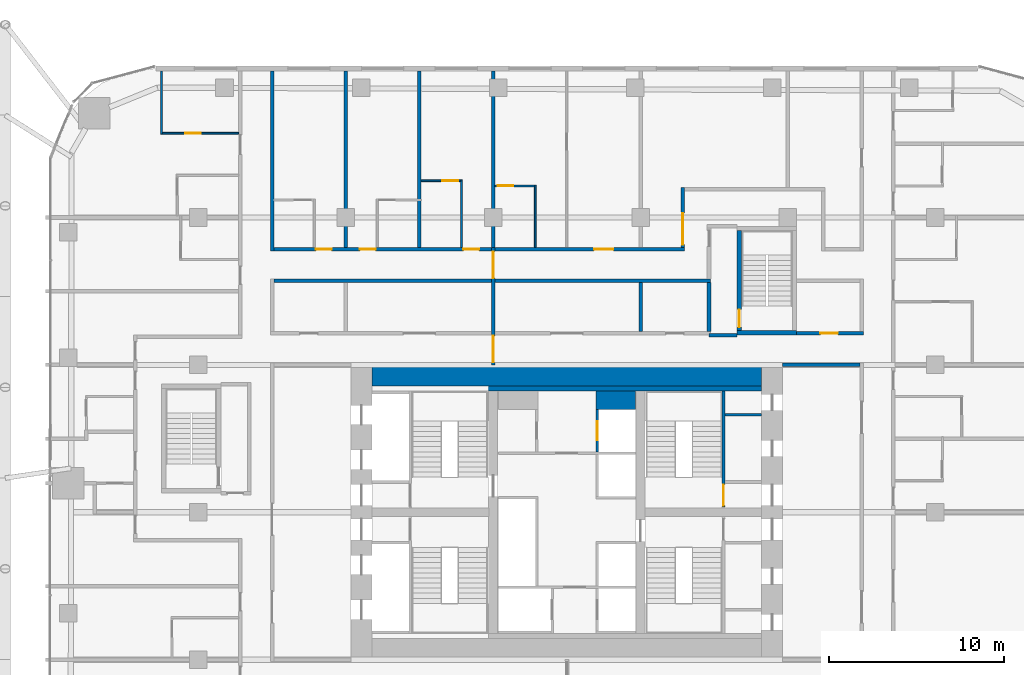
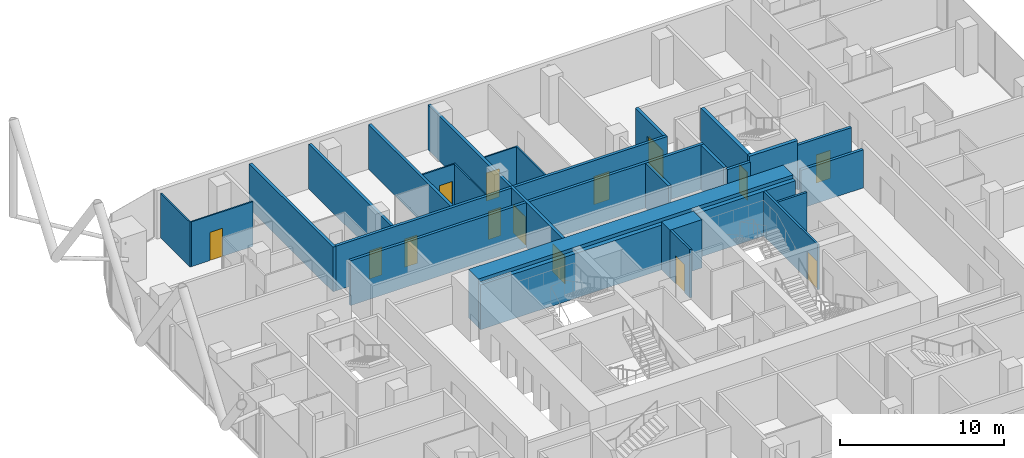
# One storey, part 34 of 38: 27 walls, 14 doors, 14 openings.
"""IFC4 building model written with IfcOpenShell, lengths in metres."""

from ifc_helpers import new_model, si_unit, direction, frame, frame_2d, origin, place, context, subcontext, project, spatial, rectangle, extrude, material, layer, layer_set, type_object, element, fill, save


model = new_model("IFC4")

# Units and contexts
model_context = context("Model", 3, precision=1e-05, world=origin(), true_north=direction((0.0, 1.0)))
body_context = subcontext(model_context, "Body", "Model", "MODEL_VIEW")
ifc_project = project(units=[si_unit("LENGTHUNIT", "METRE"), si_unit("AREAUNIT", "SQUARE_METRE"), si_unit("VOLUMEUNIT", "CUBIC_METRE"), si_unit("PLANEANGLEUNIT", "RADIAN"), si_unit("MASSUNIT", "GRAM", prefix="KILO")], contexts=[model_context])

# Site, building, storey
site_placement = place(None, origin())
site = spatial("IfcSite", under=ifc_project, at=site_placement, CompositionType="ELEMENT")
building_placement = place(site_placement, origin())
building = spatial("IfcBuilding", under=site, at=building_placement, Name="Marenta Gate Hotel Tower", CompositionType="ELEMENT")
storey_placement = place(building_placement, frame((0.0, 0.0, 40.10009765625)))
storey = spatial("IfcBuildingStorey", under=building, at=storey_placement, Name="L07", CompositionType="ELEMENT", Elevation=40.10009765625)

# Wall, openings, doors
ifc_material_1 = material(Name="Concrete blockwork", Category="masonry")
ifc_layer_1 = layer(ifc_material_1, 0.199951171875)
ifc_layer_set_1 = layer_set([ifc_layer_1], Name="Concrete blockwork")
wall_type_1 = type_object("IfcWallType", Name="Compartment wall 200 REI 180", PredefinedType="PARTITIONING", material=ifc_layer_set_1)
wall_1_placement = place(storey_placement, frame((-4.199951171875, 16.800048828125, 0.0), z_axis=(0.0, 0.0, 1.0), x_axis=(0.0, 1.0, 0.0)))
wall_1 = element("IfcWall", 1, at=wall_1_placement, inside=storey, type_object=wall_type_1, Name="L07-PTN-W078", PredefinedType="PARTITIONING", context=body_context, shape_type="SweptSolid", body=[
    extrude(rectangle(XDim=6.699951171875, YDim=0.199951171875, at=frame_2d((3.35009765625, 0.0))), origin(), (0.0, 0.0, 1.0), 3.33984375),
])
opening_1_placement = place(wall_1_placement, frame((0.14990234375, 0.0, 0.0)))
opening_1 = element("IfcOpeningElement", 2, at=opening_1_placement, cuts=wall_1, Name="Opening G02-FD1", PredefinedType="OPENING", context=body_context, shape_type="SweptSolid", body=[
    extrude(rectangle(XDim=1.5, YDim=2.10009765625, at=frame_2d((0.75, 1.050048828125))), frame((0.0, 0.10009765625, 0.0), z_axis=(0.0, -1.0, 0.0), x_axis=(1.0, 0.0, 0.0)), (0.0, 0.0, 1.0), 0.199951171875),
])
opening_2_placement = place(wall_1_placement, frame((4.949951171875, 0.0, 0.0)))
opening_2 = element("IfcOpeningElement", 3, at=opening_2_placement, cuts=wall_1, Name="Opening G02-FD2", PredefinedType="OPENING", context=body_context, shape_type="SweptSolid", body=[
    extrude(rectangle(XDim=1.5, YDim=2.10009765625, at=frame_2d((0.75, 1.050048828125))), frame((0.0, 0.10009765625, 0.0), z_axis=(0.0, -1.0, 0.0), x_axis=(1.0, 0.0, 0.0)), (0.0, 0.0, 1.0), 0.199951171875),
])
ifc_material_2 = material(Name="Hollow steel door set", Category="steel")
door_type_1 = type_object("IfcDoorType", Name="Compartment fire door 1500x2100 EI 60", OperationType="DOUBLE_DOOR_DOUBLE_SWING", PredefinedType="DOOR", material=ifc_material_2)
door_1_placement = place(opening_1_placement, origin())
door_1 = element("IfcDoor", 4, at=door_1_placement, inside=storey, type_object=door_type_1, Name="L07-PD-FD01", OperationType="DOUBLE_DOOR_DOUBLE_SWING", OverallHeight=2.10009765625, OverallWidth=1.5, PredefinedType="DOOR", context=body_context, shape_type="SweptSolid", body=[
    extrude(rectangle(XDim=1.5, YDim=2.10009765625, at=frame_2d((0.75, 1.050048828125))), frame((0.0, 0.02490234375, 0.0), z_axis=(0.0, -1.0, 0.0), x_axis=(1.0, 0.0, 0.0)), (0.0, 0.0, 1.0), 0.050048828125),
])
fill(opening_1, door_1)
door_2_placement = place(opening_2_placement, origin())
door_2 = element("IfcDoor", 5, at=door_2_placement, inside=storey, type_object=door_type_1, Name="L07-PD-FD02", OperationType="DOUBLE_DOOR_DOUBLE_SWING", OverallHeight=2.10009765625, OverallWidth=1.5, PredefinedType="DOOR", context=body_context, shape_type="SweptSolid", body=[
    extrude(rectangle(XDim=1.5, YDim=2.10009765625, at=frame_2d((0.75, 1.050048828125))), frame((0.0, 0.02490234375, 0.0), z_axis=(0.0, -1.0, 0.0), x_axis=(1.0, 0.0, 0.0)), (0.0, 0.0, 1.0), 0.050048828125),
])
fill(opening_2, door_2)

# Walls
wall_2_placement = place(storey_placement, frame((-4.199951171875, 23.5, 0.0), z_axis=(0.0, 0.0, 1.0), x_axis=(0.0, 1.0, 0.0)))
element("IfcWall", 6, at=wall_2_placement, inside=storey, type_object=wall_type_1, Name="L07-PTN-W079", PredefinedType="PARTITIONING", context=body_context, shape_type="SweptSolid", body=[
    extrude(rectangle(XDim=10.0400390625, YDim=0.199951171875, at=frame_2d((5.02001953125, 0.0))), origin(), (0.0, 0.0, 1.0), 3.33984375),
])
ifc_material_3 = material(Name="Concrete blockwork", Category="masonry")
ifc_layer_2 = layer(ifc_material_3, 0.199951171875)
ifc_layer_set_2 = layer_set([ifc_layer_2], Name="Concrete blockwork")
wall_type_2 = type_object("IfcWallType", Name="Core boundary wall 200 REI 180", PredefinedType="PARTITIONING", material=ifc_layer_set_2)
wall_3_placement = place(storey_placement, frame((12.300048828125, 16.800048828125, 0.0), z_axis=(0.0, 0.0, 1.0), x_axis=(1.0, 0.0, 0.0)))
element("IfcWall", 7, at=wall_3_placement, inside=storey, type_object=wall_type_2, Name="L07-CP-EW-EN", PredefinedType="PARTITIONING", context=body_context, shape_type="SweptSolid", body=[
    extrude(rectangle(XDim=4.39990234375, YDim=0.199951171875, at=frame_2d((2.199951171875, 0.0))), origin(), (0.0, 0.0, 1.0), 2.83984375),
])
ifc_material_4 = material(Name="Concrete C40", Category="concrete")
ifc_layer_3 = layer(ifc_material_4, 0.300048828125)
ifc_layer_set_3 = layer_set([ifc_layer_3], Name="Concrete C40")
wall_type_3 = type_object("IfcWallType", Name="Core lining wall 300 REI 180", PredefinedType="PARTITIONING", material=ifc_layer_set_3)
wall_4_placement = place(storey_placement, frame((-11.10009765625, 15.449951171875, 0.0), z_axis=(0.0, 0.0, 1.0), x_axis=(1.0, 0.0, 0.0)))
element("IfcWall", 8, at=wall_4_placement, inside=storey, type_object=wall_type_3, Name="L07-CP-LN-N", PredefinedType="PARTITIONING", context=body_context, shape_type="SweptSolid", body=[
    extrude(rectangle(XDim=22.2001953125, YDim=0.300048828125, at=frame_2d((11.10009765625, 0.0))), origin(), (0.0, 0.0, 1.0), 3.33984375),
])
ifc_material_5 = material(Name="Concrete blockwork", Category="masonry")
ifc_layer_4 = layer(ifc_material_5, 0.14990234375)
ifc_layer_set_4 = layer_set([ifc_layer_4], Name="Concrete blockwork")
wall_type_4 = type_object("IfcWallType", Name="Core room partition 150 REI 180", PredefinedType="PARTITIONING", material=ifc_layer_set_4)
wall_5_placement = place(storey_placement, frame((9.0, 13.949951171875, 0.0), z_axis=(0.0, 0.0, 1.0), x_axis=(1.0, 0.0, 0.0)))
element("IfcWall", 9, at=wall_5_placement, inside=storey, type_object=wall_type_4, Name="L07-CP-RW-EN-1", PredefinedType="PARTITIONING", context=body_context, shape_type="SweptSolid", body=[
    extrude(rectangle(XDim=2.10009765625, YDim=0.14990234375, at=frame_2d((1.050048828125, 0.0))), origin(), (0.0, 0.0, 1.0), 3.33984375),
])
ifc_material_6 = material(Name="Concrete C40", Category="concrete")
ifc_layer_5 = layer(ifc_material_6, 1.050048828125)
ifc_layer_set_5 = layer_set([ifc_layer_5], Name="Concrete C40")
wall_type_5 = type_object("IfcWallType", Name="Core shaft wall 1050 REI 180", PredefinedType="SHEAR", material=ifc_layer_set_5)
wall_6_placement = place(storey_placement, frame((1.64990234375, 14.77490234375, 0.0), z_axis=(0.0, 0.0, 1.0), x_axis=(1.0, 0.0, 0.0)))
element("IfcWall", 10, at=wall_6_placement, inside=storey, type_object=wall_type_5, Name="L07-SHF-CE-N-top", PredefinedType="SHEAR", context=body_context, shape_type="SweptSolid", body=[
    extrude(rectangle(XDim=2.25, YDim=1.050048828125, at=frame_2d((1.125, 0.0))), origin(), (0.0, 0.0, 1.0), 3.599853515625),
])

# Wall, opening, door
ifc_material_7 = material(Name="Concrete C40", Category="concrete")
ifc_layer_6 = layer(ifc_material_7, 0.14990234375)
ifc_layer_set_6 = layer_set([ifc_layer_6], Name="Concrete C40")
wall_type_6 = type_object("IfcWallType", Name="Core shaft wall 150 REI 180", PredefinedType="SHEAR", material=ifc_layer_set_6)
wall_7_placement = place(storey_placement, frame((1.72509765625, 11.85009765625, 0.0), z_axis=(0.0, 0.0, 1.0), x_axis=(0.0, 1.0, 0.0)))
wall_7 = element("IfcWall", 11, at=wall_7_placement, inside=storey, type_object=wall_type_6, Name="L07-SHF-CE-N-front2", PredefinedType="SHEAR", context=body_context, shape_type="SweptSolid", body=[
    extrude(rectangle(XDim=2.39990234375, YDim=0.14990234375, at=frame_2d((1.199951171875, 0.0))), origin(), (0.0, 0.0, 1.0), 3.599853515625),
])
opening_3_placement = place(wall_7_placement, frame((0.64990234375, 0.0, 0.0)))
opening_3 = element("IfcOpeningElement", 12, at=opening_3_placement, cuts=wall_7, Name="Opening LD-FF2", PredefinedType="OPENING", context=body_context, shape_type="SweptSolid", body=[
    extrude(rectangle(XDim=1.10009765625, YDim=2.10009765625, at=frame_2d((0.550048828125, 1.050048828125))), frame((0.0, 0.074951171875, 0.0), z_axis=(0.0, -1.0, 0.0), x_axis=(1.0, 0.0, 0.0)), (0.0, 0.0, 1.0), 0.14990234375),
])
ifc_material_8 = material(Name="Steel", Category="steel")
door_type_2 = type_object("IfcDoorType", Name="Core lift landing door 1100x2100 E 60", OperationType="SLIDING_TO_LEFT", PredefinedType="DOOR", material=ifc_material_8)
door_3_placement = place(opening_3_placement, origin())
door_3 = element("IfcDoor", 13, at=door_3_placement, inside=storey, type_object=door_type_2, Name="LD-FF2", OperationType="SLIDING_TO_LEFT", OverallHeight=2.10009765625, OverallWidth=1.10009765625, PredefinedType="DOOR", context=body_context, shape_type="SweptSolid", body=[
    extrude(rectangle(XDim=1.10009765625, YDim=2.10009765625, at=frame_2d((0.550048828125, 1.050048828125))), frame((0.0, 0.02490234375, 0.0), z_axis=(0.0, -1.0, 0.0), x_axis=(1.0, 0.0, 0.0)), (0.0, 0.0, 1.0), 0.050048828125),
])
fill(opening_3, door_3)

ifc_material_9 = material(Name="Concrete C40", Category="concrete")
ifc_layer_7 = layer(ifc_material_9, 0.14990234375)
ifc_layer_set_7 = layer_set([ifc_layer_7], Name="Concrete C40")
wall_type_7 = type_object("IfcWallType", Name="Core stair enclosure wall 150 REI 180", PredefinedType="SHEAR", material=ifc_layer_set_7)
wall_8_placement = place(storey_placement, frame((8.925048828125, 8.699951171875, 0.0), z_axis=(0.0, 0.0, 1.0), x_axis=(0.0, 1.0, 0.0)))
wall_8 = element("IfcWall", 14, at=wall_8_placement, inside=storey, type_object=wall_type_7, Name="L07-SHF-SW-EN-3", PredefinedType="SHEAR", context=body_context, shape_type="SweptSolid", body=[
    extrude(rectangle(XDim=6.60009765625, YDim=0.14990234375, at=frame_2d((3.300048828125, 0.0))), origin(), (0.0, 0.0, 1.0), 3.33984375),
])
opening_4_placement = place(wall_8_placement, frame((0.074951171875, 0.0, 0.0)))
opening_4 = element("IfcOpeningElement", 15, at=opening_4_placement, cuts=wall_8, Name="Opening SD-EN", PredefinedType="OPENING", context=body_context, shape_type="SweptSolid", body=[
    extrude(rectangle(XDim=1.199951171875, YDim=2.10009765625, at=frame_2d((0.60009765625, 1.050048828125))), frame((0.0, 0.074951171875, 0.0), z_axis=(0.0, -1.0, 0.0), x_axis=(1.0, 0.0, 0.0)), (0.0, 0.0, 1.0), 0.14990234375),
])
ifc_material_10 = material(Name="Steel", Category="steel")
door_type_3 = type_object("IfcDoorType", Name="Core stair door 1200x2100 FD60", OperationType="SINGLE_SWING_LEFT", PredefinedType="DOOR", material=ifc_material_10)
door_4_placement = place(opening_4_placement, origin())
door_4 = element("IfcDoor", 16, at=door_4_placement, inside=storey, type_object=door_type_3, Name="SD-EN", OperationType="SINGLE_SWING_LEFT", OverallHeight=2.10009765625, OverallWidth=1.199951171875, PredefinedType="DOOR", context=body_context, shape_type="SweptSolid", body=[
    extrude(rectangle(XDim=1.199951171875, YDim=2.10009765625, at=frame_2d((0.60009765625, 1.050048828125))), frame((0.0, 0.02490234375, 0.0), z_axis=(0.0, -1.0, 0.0), x_axis=(1.0, 0.0, 0.0)), (0.0, 0.0, 1.0), 0.050048828125),
])
fill(opening_4, door_4)

# Walls
ifc_material_11 = material(Name="Concrete C80", Category="concrete")
ifc_layer_8 = layer(ifc_material_11, 1.199951171875)
ifc_layer_set_8 = layer_set([ifc_layer_8], Name="Concrete C80")
wall_type_8 = type_object("IfcWallType", Name="Core wall 1200 C80", PredefinedType="SHEAR", material=ifc_layer_set_8)
wall_9_placement = place(storey_placement, frame((-11.10009765625, 16.199951171875, 0.0), z_axis=(0.0, 0.0, 1.0), x_axis=(1.0, 0.0, 0.0)))
element("IfcWall", 17, at=wall_9_placement, inside=storey, type_object=wall_type_8, Name="L07-CORE-N", PredefinedType="SHEAR", context=body_context, shape_type="SweptSolid", body=[
    extrude(rectangle(XDim=22.2001953125, YDim=1.199951171875, at=frame_2d((11.10009765625, 0.0))), origin(), (0.0, 0.0, 1.0), 3.599853515625),
])
ifc_material_12 = material(Name="Concrete C40", Category="concrete")
ifc_layer_9 = layer(ifc_material_12, 0.25)
ifc_layer_set_9 = layer_set([ifc_layer_9], Name="Concrete C40")
wall_type_9 = type_object("IfcWallType", Name="Remote stair enclosure wall 250 REI 180", PredefinedType="SHEAR", material=ifc_layer_set_9)
wall_10_placement = place(storey_placement, frame((9.699951171875, 18.625, 0.099853515625), z_axis=(0.0, 0.0, 1.0), x_axis=(1.0, 0.0, 0.0)))
element("IfcWall", 18, at=wall_10_placement, inside=storey, type_object=wall_type_9, Name="L07-RS-Z1-4-W1", PredefinedType="SHEAR", context=body_context, shape_type="SweptSolid", body=[
    extrude(rectangle(XDim=3.400146484375, YDim=0.25, at=frame_2d((1.7001953125, 0.0))), origin(), (0.0, 0.0, 1.0), 3.60009765625),
])

# Wall, opening, door
wall_11_placement = place(storey_placement, frame((9.824951171875, 18.75, 0.099853515625), z_axis=(0.0, 0.0, 1.0), x_axis=(0.0, 1.0, 0.0)))
wall_11 = element("IfcWall", 19, at=wall_11_placement, inside=storey, type_object=wall_type_9, Name="L07-RS-Z1-4-W3", PredefinedType="SHEAR", context=body_context, shape_type="SweptSolid", body=[
    extrude(rectangle(XDim=5.699951171875, YDim=0.25, at=frame_2d((2.85009765625, 0.0))), origin(), (0.0, 0.0, 1.0), 3.60009765625),
])
opening_5_placement = place(wall_11_placement, frame((0.199951171875, 0.0, 0.0)))
opening_5 = element("IfcOpeningElement", 20, at=opening_5_placement, cuts=wall_11, Name="Opening VD", PredefinedType="OPENING", context=body_context, shape_type="SweptSolid", body=[
    extrude(rectangle(XDim=1.0, YDim=2.10009765625, at=frame_2d((0.5, 1.050048828125))), frame((0.0, 0.125, 0.0), z_axis=(0.0, -1.0, 0.0), x_axis=(1.0, 0.0, 0.0)), (0.0, 0.0, 1.0), 0.25),
])
ifc_material_13 = material(Name="Steel", Category="steel")
door_type_4 = type_object("IfcDoorType", Name="Stair vestibule door 1000x2100 FD60", OperationType="SINGLE_SWING_LEFT", PredefinedType="DOOR", material=ifc_material_13)
door_5_placement = place(opening_5_placement, origin())
door_5 = element("IfcDoor", 21, at=door_5_placement, inside=storey, type_object=door_type_4, Name="VD", OperationType="SINGLE_SWING_LEFT", OverallHeight=2.10009765625, OverallWidth=1.0, PredefinedType="DOOR", context=body_context, shape_type="SweptSolid", body=[
    extrude(rectangle(XDim=1.0, YDim=2.10009765625, at=frame_2d((0.5, 1.050048828125))), frame((0.0, 0.02490234375, 0.0), z_axis=(0.0, -1.0, 0.0), x_axis=(1.0, 0.0, 0.0)), (0.0, 0.0, 1.0), 0.050048828125),
])
fill(opening_5, door_5)

# Wall
ifc_material_14 = material(Name="Concrete blockwork", Category="masonry")
ifc_layer_10 = layer(ifc_material_14, 0.199951171875)
ifc_layer_set_10 = layer_set([ifc_layer_10], Name="Concrete blockwork")
wall_type_10 = type_object("IfcWallType", Name="Room corridor wall 200 EI 120", PredefinedType="PARTITIONING", material=ifc_layer_set_10)
wall_12_placement = place(storey_placement, frame((-16.699951171875, 21.60009765625, 0.0), z_axis=(0.0, 0.0, 1.0), x_axis=(1.0, 0.0, 0.0)))
element("IfcWall", 22, at=wall_12_placement, inside=storey, type_object=wall_type_10, Name="L07-PTN-W126", PredefinedType="PARTITIONING", context=body_context, shape_type="SweptSolid", body=[
    extrude(rectangle(XDim=24.89990234375, YDim=0.199951171875, at=frame_2d((12.449951171875, 0.0))), origin(), (0.0, 0.0, 1.0), 3.33984375),
])

# Wall, opening, door
ifc_material_15 = material(Name="Gypsum board on steel stud", Category="steel")
ifc_layer_11 = layer(ifc_material_15, 0.199951171875)
ifc_layer_set_11 = layer_set([ifc_layer_11], Name="Gypsum board on steel stud")
wall_type_11 = type_object("IfcWallType", Name="Room corridor wall 200 EI 60", PredefinedType="PARTITIONING", material=ifc_layer_set_11)
wall_13_placement = place(storey_placement, frame((6.60009765625, 23.5, 0.0), z_axis=(0.0, 0.0, 1.0), x_axis=(0.0, 1.0, 0.0)))
wall_13 = element("IfcWall", 23, at=wall_13_placement, inside=storey, type_object=wall_type_11, Name="L07-PTN-W049", PredefinedType="PARTITIONING", context=body_context, shape_type="SweptSolid", body=[
    extrude(rectangle(XDim=3.39990234375, YDim=0.199951171875, at=frame_2d((1.699951171875, 0.0))), origin(), (0.0, 0.0, 1.0), 3.33984375),
])
opening_6_placement = place(wall_13_placement, frame((0.14990234375, 0.0, 0.0)))
opening_6 = element("IfcOpeningElement", 24, at=opening_6_placement, cuts=wall_13, Name="Opening G02-39", PredefinedType="OPENING", context=body_context, shape_type="SweptSolid", body=[
    extrude(rectangle(XDim=1.800048828125, YDim=2.10009765625, at=frame_2d((0.89990234375, 1.050048828125))), frame((0.0, 0.10009765625, 0.0), z_axis=(0.0, -1.0, 0.0), x_axis=(1.0, 0.0, 0.0)), (0.0, 0.0, 1.0), 0.199951171875),
])
ifc_material_16 = material(Name="Timber door leaf", Category="wood")
door_type_5 = type_object("IfcDoorType", Name="Room amenity door 1800x2100 EI 30", OperationType="DOUBLE_DOOR_SINGLE_SWING", PredefinedType="DOOR", material=ifc_material_16)
door_6_placement = place(opening_6_placement, origin())
door_6 = element("IfcDoor", 25, at=door_6_placement, inside=storey, type_object=door_type_5, Name="L07-PD-D039", OperationType="DOUBLE_DOOR_SINGLE_SWING", OverallHeight=2.10009765625, OverallWidth=1.800048828125, PredefinedType="DOOR", context=body_context, shape_type="SweptSolid", body=[
    extrude(rectangle(XDim=1.800048828125, YDim=2.10009765625, at=frame_2d((0.89990234375, 1.050048828125))), frame((0.0, 0.02490234375, 0.0), z_axis=(0.0, -1.0, 0.0), x_axis=(1.0, 0.0, 0.0)), (0.0, 0.0, 1.0), 0.050048828125),
])
fill(opening_6, door_6)

# Wall
wall_14_placement = place(storey_placement, frame((-16.800048828125, 23.300048828125, 0.0), z_axis=(0.0, 0.0, 1.0), x_axis=(0.0, 1.0, 0.0)))
element("IfcWall", 26, at=wall_14_placement, inside=storey, type_object=wall_type_11, Name="L07-PTN-W113", PredefinedType="PARTITIONING", context=body_context, shape_type="SweptSolid", body=[
    extrude(rectangle(XDim=10.239990234375, YDim=0.199951171875, at=frame_2d((5.1201171875, 0.0))), origin(), (0.0, 0.0, 1.0), 3.33984375),
])

# Wall, opening, door
wall_15_placement = place(storey_placement, frame((13.10009765625, 18.60009765625, 0.0), z_axis=(0.0, 0.0, 1.0), x_axis=(1.0, 0.0, 0.0)))
wall_15 = element("IfcWall", 27, at=wall_15_placement, inside=storey, type_object=wall_type_11, Name="L07-PTN-W122", PredefinedType="PARTITIONING", context=body_context, shape_type="SweptSolid", body=[
    extrude(rectangle(XDim=3.7998046875, YDim=0.199951171875, at=frame_2d((1.89990234375, 0.0))), origin(), (0.0, 0.0, 1.0), 3.33984375),
])
opening_7_placement = place(wall_15_placement, frame((1.35009765625, 0.0, 0.0)))
opening_7 = element("IfcOpeningElement", 28, at=opening_7_placement, cuts=wall_15, Name="Opening G02-05", PredefinedType="OPENING", context=body_context, shape_type="SweptSolid", body=[
    extrude(rectangle(XDim=1.0, YDim=2.10009765625, at=frame_2d((0.5, 1.050048828125))), frame((0.0, 0.10009765625, 0.0), z_axis=(0.0, -1.0, 0.0), x_axis=(1.0, 0.0, 0.0)), (0.0, 0.0, 1.0), 0.199951171875),
])
ifc_material_17 = material(Name="Timber door leaf", Category="wood")
door_type_6 = type_object("IfcDoorType", Name="Room amenity door 1000x2100 EI 30", OperationType="NOTDEFINED", PredefinedType="DOOR", material=ifc_material_17)
door_7_placement = place(opening_7_placement, origin())
door_7 = element("IfcDoor", 29, at=door_7_placement, inside=storey, type_object=door_type_6, Name="L07-PD-D005", OperationType="SINGLE_SWING_LEFT", OverallHeight=2.10009765625, OverallWidth=1.0, PredefinedType="DOOR", context=body_context, shape_type="SweptSolid", body=[
    extrude(rectangle(XDim=1.0, YDim=2.10009765625, at=frame_2d((0.5, 1.050048828125))), frame((0.0, 0.02490234375, 0.0), z_axis=(0.0, -1.0, 0.0), x_axis=(1.0, 0.0, 0.0)), (0.0, 0.0, 1.0), 0.050048828125),
])
fill(opening_7, door_7)

# Wall, openings, doors
wall_16_placement = place(storey_placement, frame((-16.699951171875, 23.39990234375, 0.0), z_axis=(0.0, 0.0, 1.0), x_axis=(1.0, 0.0, 0.0)))
wall_16 = element("IfcWall", 30, at=wall_16_placement, inside=storey, type_object=wall_type_11, Name="L07-PTN-W137", PredefinedType="PARTITIONING", context=body_context, shape_type="SweptSolid", body=[
    extrude(rectangle(XDim=23.39990234375, YDim=0.199951171875, at=frame_2d((11.699951171875, 0.0))), origin(), (0.0, 0.0, 1.0), 3.33984375),
])
opening_8_placement = place(wall_16_placement, frame((2.39990234375, 0.0, 0.0)))
opening_8 = element("IfcOpeningElement", 31, at=opening_8_placement, cuts=wall_16, Name="Opening G02-30", PredefinedType="OPENING", context=body_context, shape_type="SweptSolid", body=[
    extrude(rectangle(XDim=0.89990234375, YDim=2.10009765625, at=frame_2d((0.449951171875, 1.050048828125))), frame((0.0, 0.10009765625, 0.0), z_axis=(0.0, -1.0, 0.0), x_axis=(1.0, 0.0, 0.0)), (0.0, 0.0, 1.0), 0.199951171875),
])
opening_9_placement = place(wall_16_placement, frame((4.89990234375, 0.0, 0.0)))
opening_9 = element("IfcOpeningElement", 32, at=opening_9_placement, cuts=wall_16, Name="Opening G02-32", PredefinedType="OPENING", context=body_context, shape_type="SweptSolid", body=[
    extrude(rectangle(XDim=0.89990234375, YDim=2.10009765625, at=frame_2d((0.449951171875, 1.050048828125))), frame((0.0, 0.10009765625, 0.0), z_axis=(0.0, -1.0, 0.0), x_axis=(1.0, 0.0, 0.0)), (0.0, 0.0, 1.0), 0.199951171875),
])
opening_10_placement = place(wall_16_placement, frame((10.800048828125, 0.0, 0.0)))
opening_10 = element("IfcOpeningElement", 33, at=opening_10_placement, cuts=wall_16, Name="Opening G02-34", PredefinedType="OPENING", context=body_context, shape_type="SweptSolid", body=[
    extrude(rectangle(XDim=0.89990234375, YDim=2.10009765625, at=frame_2d((0.449951171875, 1.050048828125))), frame((0.0, 0.10009765625, 0.0), z_axis=(0.0, -1.0, 0.0), x_axis=(1.0, 0.0, 0.0)), (0.0, 0.0, 1.0), 0.199951171875),
])
opening_11_placement = place(wall_16_placement, frame((18.25, 0.0, 0.0)))
opening_11 = element("IfcOpeningElement", 34, at=opening_11_placement, cuts=wall_16, Name="Opening G02-36", PredefinedType="OPENING", context=body_context, shape_type="SweptSolid", body=[
    extrude(rectangle(XDim=1.10009765625, YDim=2.10009765625, at=frame_2d((0.550048828125, 1.050048828125))), frame((0.0, 0.10009765625, 0.0), z_axis=(0.0, -1.0, 0.0), x_axis=(1.0, 0.0, 0.0)), (0.0, 0.0, 1.0), 0.199951171875),
])
ifc_material_18 = material(Name="Timber door leaf", Category="wood")
door_type_7 = type_object("IfcDoorType", Name="Guest room door 1100x2100 EI 30", OperationType="NOTDEFINED", PredefinedType="DOOR", material=ifc_material_18)
door_8_placement = place(opening_11_placement, origin())
door_8 = element("IfcDoor", 35, at=door_8_placement, inside=storey, type_object=door_type_7, Name="L07-PD-D036", OperationType="SINGLE_SWING_LEFT", OverallHeight=2.10009765625, OverallWidth=1.10009765625, PredefinedType="DOOR", context=body_context, shape_type="SweptSolid", body=[
    extrude(rectangle(XDim=1.10009765625, YDim=2.10009765625, at=frame_2d((0.550048828125, 1.050048828125))), frame((0.0, 0.02490234375, 0.0), z_axis=(0.0, -1.0, 0.0), x_axis=(1.0, 0.0, 0.0)), (0.0, 0.0, 1.0), 0.050048828125),
])
fill(opening_11, door_8)
ifc_material_19 = material(Name="Timber door leaf", Category="wood")
door_type_8 = type_object("IfcDoorType", Name="Guest room door 900x2100 EI 30", OperationType="NOTDEFINED", PredefinedType="DOOR", material=ifc_material_19)
door_9_placement = place(opening_8_placement, origin())
door_9 = element("IfcDoor", 36, at=door_9_placement, inside=storey, type_object=door_type_8, Name="L07-PD-D030", OperationType="SINGLE_SWING_LEFT", OverallHeight=2.10009765625, OverallWidth=0.89990234375, PredefinedType="DOOR", context=body_context, shape_type="SweptSolid", body=[
    extrude(rectangle(XDim=0.89990234375, YDim=2.10009765625, at=frame_2d((0.449951171875, 1.050048828125))), frame((0.0, 0.02490234375, 0.0), z_axis=(0.0, -1.0, 0.0), x_axis=(1.0, 0.0, 0.0)), (0.0, 0.0, 1.0), 0.050048828125),
])
fill(opening_8, door_9)
door_10_placement = place(opening_9_placement, origin())
door_10 = element("IfcDoor", 37, at=door_10_placement, inside=storey, type_object=door_type_8, Name="L07-PD-D032", OperationType="SINGLE_SWING_RIGHT", OverallHeight=2.10009765625, OverallWidth=0.89990234375, PredefinedType="DOOR", context=body_context, shape_type="SweptSolid", body=[
    extrude(rectangle(XDim=0.89990234375, YDim=2.10009765625, at=frame_2d((0.449951171875, 1.050048828125))), frame((0.0, 0.02490234375, 0.0), z_axis=(0.0, -1.0, 0.0), x_axis=(1.0, 0.0, 0.0)), (0.0, 0.0, 1.0), 0.050048828125),
])
fill(opening_9, door_10)
door_11_placement = place(opening_10_placement, origin())
door_11 = element("IfcDoor", 38, at=door_11_placement, inside=storey, type_object=door_type_8, Name="L07-PD-D034", OperationType="SINGLE_SWING_LEFT", OverallHeight=2.10009765625, OverallWidth=0.89990234375, PredefinedType="DOOR", context=body_context, shape_type="SweptSolid", body=[
    extrude(rectangle(XDim=0.89990234375, YDim=2.10009765625, at=frame_2d((0.449951171875, 1.050048828125))), frame((0.0, 0.02490234375, 0.0), z_axis=(0.0, -1.0, 0.0), x_axis=(1.0, 0.0, 0.0)), (0.0, 0.0, 1.0), 0.050048828125),
])
fill(opening_10, door_11)

# Walls
ifc_material_20 = material(Name="Concrete blockwork", Category="masonry")
ifc_layer_12 = layer(ifc_material_20, 0.199951171875)
ifc_layer_set_12 = layer_set([ifc_layer_12], Name="Concrete blockwork")
wall_type_12 = type_object("IfcWallType", Name="Room corridor wall 200 REI 180", PredefinedType="PARTITIONING", material=ifc_layer_set_12)
wall_17_placement = place(storey_placement, frame((8.10009765625, 18.5, 0.0), z_axis=(0.0, 0.0, 1.0), x_axis=(1.0, 0.0, 0.0)))
element("IfcWall", 39, at=wall_17_placement, inside=storey, type_object=wall_type_12, Name="L07-PTN-W118", PredefinedType="PARTITIONING", context=body_context, shape_type="SweptSolid", body=[
    extrude(rectangle(XDim=1.599853515625, YDim=0.199951171875, at=frame_2d((0.7998046875, 0.0))), origin(), (0.0, 0.0, 1.0), 3.33984375),
])
ifc_material_21 = material(Name="Gypsum board on steel stud", Category="steel")
ifc_layer_13 = layer(ifc_material_21, 0.10009765625)
ifc_layer_set_13 = layer_set([ifc_layer_13], Name="Gypsum board on steel stud")
wall_type_13 = type_object("IfcWallType", Name="Room partition 100", PredefinedType="PARTITIONING", material=ifc_layer_set_13)
wall_18_placement = place(storey_placement, frame((-1.800048828125, 23.5, 0.0), z_axis=(0.0, 0.0, 1.0), x_axis=(0.0, 1.0, 0.0)))
element("IfcWall", 40, at=wall_18_placement, inside=storey, type_object=wall_type_13, Name="L07-PTN-W074", PredefinedType="PARTITIONING", context=body_context, shape_type="SweptSolid", body=[
    extrude(rectangle(XDim=3.550048828125, YDim=0.10009765625, at=frame_2d((1.77490234375, 0.0))), origin(), (0.0, 0.0, 1.0), 3.33984375),
])
wall_19_placement = place(storey_placement, frame((-6.0, 23.5, 0.0), z_axis=(0.0, 0.0, 1.0), x_axis=(0.0, 1.0, 0.0)))
element("IfcWall", 41, at=wall_19_placement, inside=storey, type_object=wall_type_13, Name="L07-PTN-W083", PredefinedType="PARTITIONING", context=body_context, shape_type="SweptSolid", body=[
    extrude(rectangle(XDim=3.85009765625, YDim=0.10009765625, at=frame_2d((1.925048828125, 0.0))), origin(), (0.0, 0.0, 1.0), 3.33984375),
])
wall_20_placement = place(storey_placement, frame((-23.10009765625, 29.949951171875, 0.0), z_axis=(0.0, 0.0, 1.0), x_axis=(0.0, 1.0, 0.0)))
element("IfcWall", 42, at=wall_20_placement, inside=storey, type_object=wall_type_13, Name="L07-PTN-W136", PredefinedType="PARTITIONING", context=body_context, shape_type="SweptSolid", body=[
    extrude(rectangle(XDim=3.590087890625, YDim=0.10009765625, at=frame_2d((1.794921875, 0.0))), origin(), (0.0, 0.0, 1.0), 3.33984375),
])

# Wall, opening, door
wall_21_placement = place(storey_placement, frame((-4.10009765625, 27.0, 0.0), z_axis=(0.0, 0.0, 1.0), x_axis=(1.0, 0.0, 0.0)))
wall_21 = element("IfcWall", 43, at=wall_21_placement, inside=storey, type_object=wall_type_13, Name="L07-PTN-W147", PredefinedType="PARTITIONING", context=body_context, shape_type="SweptSolid", body=[
    extrude(rectangle(XDim=2.25, YDim=0.10009765625, at=frame_2d((1.125, 0.0))), origin(), (0.0, 0.0, 1.0), 3.33984375),
])
opening_12_placement = place(wall_21_placement, frame((0.14990234375, 0.0, 0.0)))
opening_12 = element("IfcOpeningElement", 44, at=opening_12_placement, cuts=wall_21, Name="Opening G02-38", PredefinedType="OPENING", context=body_context, shape_type="SweptSolid", body=[
    extrude(rectangle(XDim=0.89990234375, YDim=2.10009765625, at=frame_2d((0.449951171875, 1.050048828125))), frame((0.0, 0.050048828125, 0.0), z_axis=(0.0, -1.0, 0.0), x_axis=(1.0, 0.0, 0.0)), (0.0, 0.0, 1.0), 0.10009765625),
])
ifc_material_22 = material(Name="Timber door leaf", Category="wood")
door_type_9 = type_object("IfcDoorType", Name="Guest bathroom door 900x2100", OperationType="NOTDEFINED", PredefinedType="DOOR", material=ifc_material_22)
door_12_placement = place(opening_12_placement, origin())
door_12 = element("IfcDoor", 45, at=door_12_placement, inside=storey, type_object=door_type_9, Name="L07-PD-D038", OperationType="SINGLE_SWING_RIGHT", OverallHeight=2.10009765625, OverallWidth=0.89990234375, PredefinedType="DOOR", context=body_context, shape_type="SweptSolid", body=[
    extrude(rectangle(XDim=0.89990234375, YDim=2.10009765625, at=frame_2d((0.449951171875, 1.050048828125))), frame((0.0, 0.02490234375, 0.0), z_axis=(0.0, -1.0, 0.0), x_axis=(1.0, 0.0, 0.0)), (0.0, 0.0, 1.0), 0.050048828125),
])
fill(opening_12, door_12)

wall_22_placement = place(storey_placement, frame((-8.300048828125, 27.300048828125, 0.0), z_axis=(0.0, 0.0, 1.0), x_axis=(1.0, 0.0, 0.0)))
wall_22 = element("IfcWall", 46, at=wall_22_placement, inside=storey, type_object=wall_type_13, Name="L07-PTN-W149", PredefinedType="PARTITIONING", context=body_context, shape_type="SweptSolid", body=[
    extrude(rectangle(XDim=2.25, YDim=0.10009765625, at=frame_2d((1.125, 0.0))), origin(), (0.0, 0.0, 1.0), 3.33984375),
])
opening_13_placement = place(wall_22_placement, frame((1.199951171875, 0.0, 0.0)))
opening_13 = element("IfcOpeningElement", 47, at=opening_13_placement, cuts=wall_22, Name="Opening G02-35", PredefinedType="OPENING", context=body_context, shape_type="SweptSolid", body=[
    extrude(rectangle(XDim=0.89990234375, YDim=2.10009765625, at=frame_2d((0.449951171875, 1.050048828125))), frame((0.0, 0.050048828125, 0.0), z_axis=(0.0, -1.0, 0.0), x_axis=(1.0, 0.0, 0.0)), (0.0, 0.0, 1.0), 0.10009765625),
])
door_13_placement = place(opening_13_placement, origin())
door_13 = element("IfcDoor", 48, at=door_13_placement, inside=storey, type_object=door_type_9, Name="L07-PD-D035", OperationType="SINGLE_SWING_LEFT", OverallHeight=2.10009765625, OverallWidth=0.89990234375, PredefinedType="DOOR", context=body_context, shape_type="SweptSolid", body=[
    extrude(rectangle(XDim=0.89990234375, YDim=2.10009765625, at=frame_2d((0.449951171875, 1.050048828125))), frame((0.0, 0.02490234375, 0.0), z_axis=(0.0, -1.0, 0.0), x_axis=(1.0, 0.0, 0.0)), (0.0, 0.0, 1.0), 0.050048828125),
])
fill(opening_13, door_13)

wall_23_placement = place(storey_placement, frame((-23.050048828125, 30.0, 0.0), z_axis=(0.0, 0.0, 1.0), x_axis=(1.0, 0.0, 0.0)))
wall_23 = element("IfcWall", 49, at=wall_23_placement, inside=storey, type_object=wall_type_13, Name="L07-PTN-W154", PredefinedType="PARTITIONING", context=body_context, shape_type="SweptSolid", body=[
    extrude(rectangle(XDim=4.35009765625, YDim=0.10009765625, at=frame_2d((2.175048828125, 0.0))), origin(), (0.0, 0.0, 1.0), 3.33984375),
])
opening_14_placement = place(wall_23_placement, frame((1.300048828125, 0.0, 0.0)))
opening_14 = element("IfcOpeningElement", 50, at=opening_14_placement, cuts=wall_23, Name="Opening G02-66", PredefinedType="OPENING", context=body_context, shape_type="SweptSolid", body=[
    extrude(rectangle(XDim=0.89990234375, YDim=2.10009765625, at=frame_2d((0.449951171875, 1.050048828125))), frame((0.0, 0.050048828125, 0.0), z_axis=(0.0, -1.0, 0.0), x_axis=(1.0, 0.0, 0.0)), (0.0, 0.0, 1.0), 0.10009765625),
])
door_14_placement = place(opening_14_placement, origin())
door_14 = element("IfcDoor", 51, at=door_14_placement, inside=storey, type_object=door_type_9, Name="L07-PD-D066", OperationType="SINGLE_SWING_LEFT", OverallHeight=2.10009765625, OverallWidth=0.89990234375, PredefinedType="DOOR", context=body_context, shape_type="SweptSolid", body=[
    extrude(rectangle(XDim=0.89990234375, YDim=2.10009765625, at=frame_2d((0.449951171875, 1.050048828125))), frame((0.0, 0.02490234375, 0.0), z_axis=(0.0, -1.0, 0.0), x_axis=(1.0, 0.0, 0.0)), (0.0, 0.0, 1.0), 0.050048828125),
])
fill(opening_14, door_14)

# Walls
ifc_material_23 = material(Name="Gypsum board on steel stud", Category="steel")
ifc_layer_14 = layer(ifc_material_23, 0.199951171875)
ifc_layer_set_14 = layer_set([ifc_layer_14], Name="Gypsum board on steel stud")
wall_type_14 = type_object("IfcWallType", Name="Room party wall 200 EI 60", PredefinedType="PARTITIONING", material=ifc_layer_set_14)
wall_24_placement = place(storey_placement, frame((4.199951171875, 18.699951171875, 0.0), z_axis=(0.0, 0.0, 1.0), x_axis=(0.0, 1.0, 0.0)))
element("IfcWall", 52, at=wall_24_placement, inside=storey, type_object=wall_type_14, Name="L07-PTN-W056", PredefinedType="PARTITIONING", context=body_context, shape_type="SweptSolid", body=[
    extrude(rectangle(XDim=2.800048828125, YDim=0.199951171875, at=frame_2d((1.39990234375, 0.0))), origin(), (0.0, 0.0, 1.0), 3.33984375),
])
for number, where, z_axis, x_axis, name in (
    (53, (-8.39990234375, 23.5, 0.0), (0.0, 0.0, 1.0), (0.0, 1.0, 0.0), "L07-PTN-W087"),
    (54, (-12.60009765625, 23.5, 0.0), (0.0, 0.0, 1.0), (0.0, 1.0, 0.0), "L07-PTN-W099"),
):
    element("IfcWall", number, at=place(storey_placement, frame(where, z_axis=z_axis, x_axis=x_axis)), inside=storey, type_object=wall_type_14, Name=name, PredefinedType="PARTITIONING", context=body_context, shape_type="SweptSolid", body=[
        extrude(rectangle(XDim=10.0400390625, YDim=0.199951171875, at=frame_2d((5.02001953125, 0.0))), origin(), (0.0, 0.0, 1.0), 3.33984375),
    ])
ifc_material_24 = material(Name="Concrete blockwork", Category="masonry")
ifc_layer_15 = layer(ifc_material_24, 0.199951171875)
ifc_layer_set_15 = layer_set([ifc_layer_15], Name="Concrete blockwork")
wall_type_15 = type_object("IfcWallType", Name="Room party wall 200 REI 180", PredefinedType="PARTITIONING", material=ifc_layer_set_15)
wall_25_placement = place(storey_placement, frame((8.10009765625, 18.699951171875, 0.0), z_axis=(0.0, 0.0, 1.0), x_axis=(0.0, 1.0, 0.0)))
element("IfcWall", 55, at=wall_25_placement, inside=storey, type_object=wall_type_15, Name="L07-PTN-W045", PredefinedType="PARTITIONING", context=body_context, shape_type="SweptSolid", body=[
    extrude(rectangle(XDim=2.800048828125, YDim=0.199951171875, at=frame_2d((1.39990234375, 0.0))), origin(), (0.0, 0.0, 1.0), 3.33984375),
])

save(model, "model.ifc")
